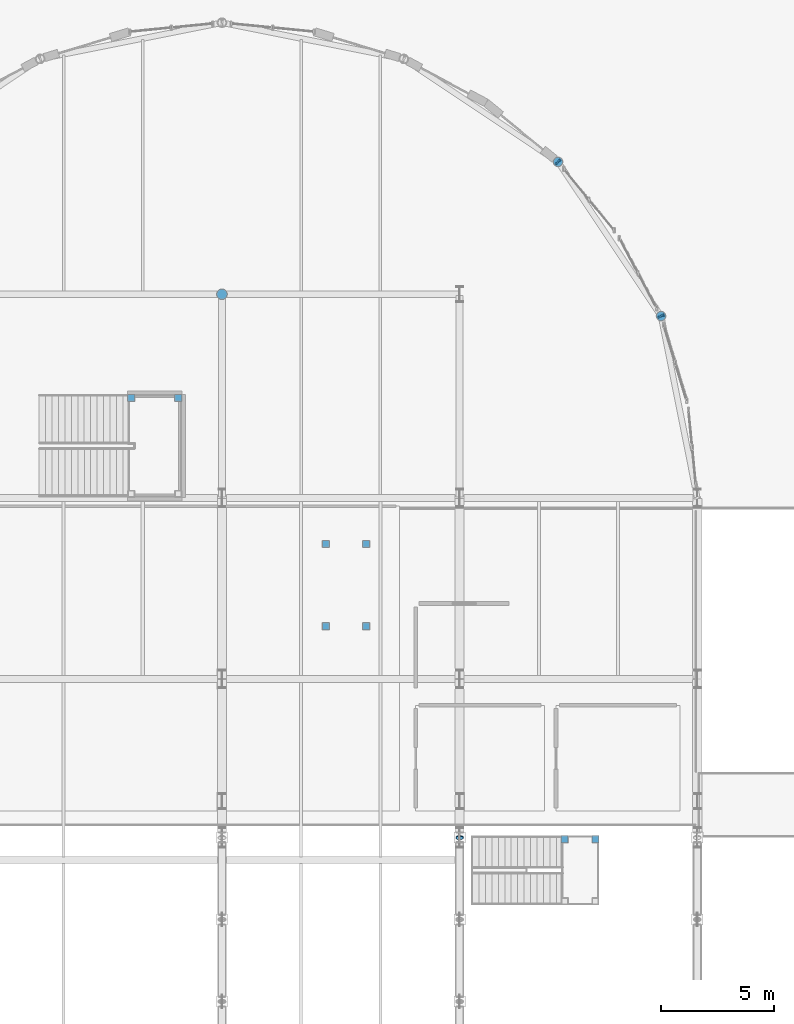
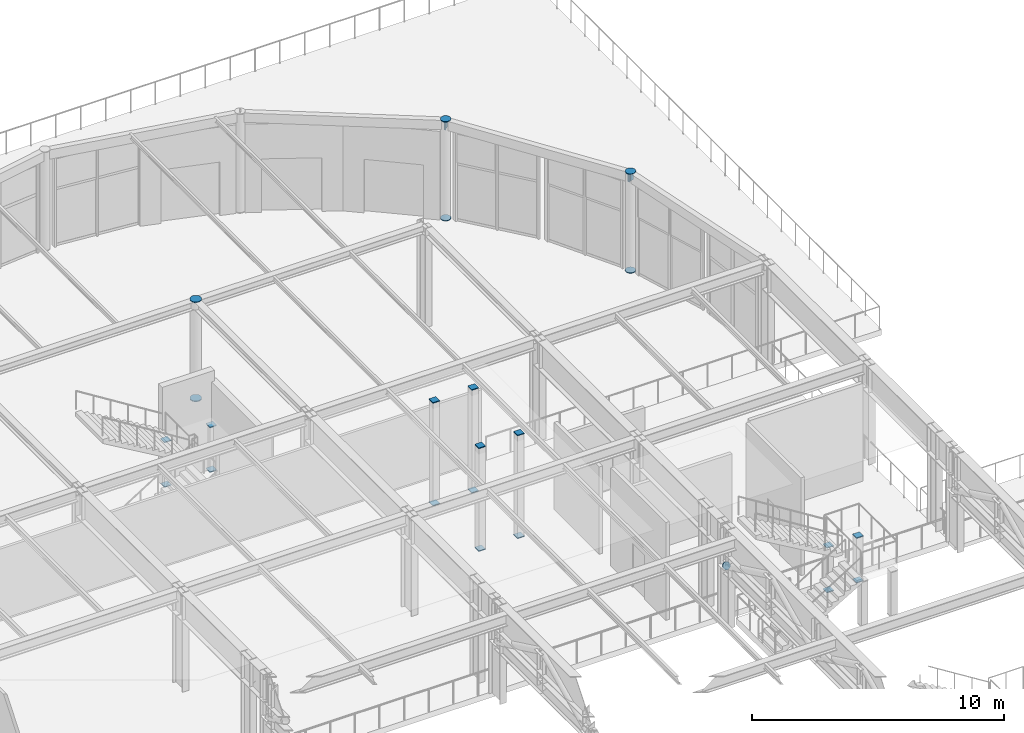
# One storey, part 104 of 143: 27 discrete accessories.
"""IFC4 building model written with IfcOpenShell, lengths in metres."""

from ifc_helpers import new_model, si_unit, direction, frame, origin, origin_2d, place, context, subcontext, project, spatial, rectangle, circle, extrude, material, element, save


model = new_model("IFC4")

# Units and contexts
model_context = context("Model", 3, precision=1e-05, world=origin(), true_north=direction((0.0, 1.0)))
body_context = subcontext(model_context, "Body", "Model", "MODEL_VIEW")
ifc_project = project(units=[si_unit("LENGTHUNIT", "METRE"), si_unit("AREAUNIT", "SQUARE_METRE"), si_unit("VOLUMEUNIT", "CUBIC_METRE"), si_unit("PLANEANGLEUNIT", "RADIAN"), si_unit("MASSUNIT", "GRAM", prefix="KILO")], contexts=[model_context])

# Site, building, storey
site_placement = place(None, origin())
site = spatial("IfcSite", under=ifc_project, at=site_placement, CompositionType="ELEMENT")
building_placement = place(site_placement, origin())
building = spatial("IfcBuilding", under=site, at=building_placement, Name="Marlcrest Central Station", CompositionType="ELEMENT")
storey_placement = place(building_placement, frame((0.0, 0.0, 4.800048828125)))
storey = spatial("IfcBuildingStorey", under=building, at=storey_placement, Name="L01", CompositionType="ELEMENT", Elevation=4.800048828125)

# Discrete accessories
ifc_material = material(Name="Steel S355", Category="steel")
discrete_accessory_placement = place(storey_placement, frame((118.5, 95.4775390625, 2.755859375), z_axis=(0.0, 0.900551636365, -0.434749065831), x_axis=(-1.0, 0.0, 0.0)))
element("IfcDiscreteAccessory", 1, at=discrete_accessory_placement, inside=storey, material=ifc_material, Name="endcap-mem-TD-01-L01-02313-e", ObjectType="END_CAP_PLATE", PredefinedType="BRACKET", context=body_context, shape_type="SweptSolid", body=[
    extrude(circle(Radius=0.169921875, at=origin_2d()), origin(), (0.0, 0.0, 1.0), 0.0400390625),
])
for number, where, z_axis, x_axis, name in (
    (2, (122.84912109375, 125.34912109375, -0.014892578125), (0.0, 0.0, 1.0), (1.0, 0.0, 0.0), "endcap-col-SC-10-L01-0864-s"),
    (3, (122.84912109375, 125.34912109375, 4.78515625), (0.0, 0.0, 1.0), (1.0, 0.0, 0.0), "endcap-col-SC-10-L01-0864-e"),
    (4, (127.40087890625, 118.535888671875, -0.014892578125), (0.0, 0.0, 1.0), (1.0, 0.0, 0.0), "endcap-col-SC-10-L01-0868-s"),
    (5, (127.40087890625, 118.535888671875, 4.78515625), (0.0, 0.0, 1.0), (1.0, 0.0, 0.0), "endcap-col-SC-10-L01-0868-e"),
):
    element("IfcDiscreteAccessory", number, at=place(storey_placement, frame(where, z_axis=z_axis, x_axis=x_axis)), inside=storey, material=ifc_material, Name=name, ObjectType="END_CAP_PLATE", PredefinedType="BRACKET", context=body_context, shape_type="SweptSolid", body=[
        extrude(circle(Radius=0.211181640625, at=origin_2d()), origin(), (0.0, 0.0, 1.0), 0.0400390625),
    ])
for number, where, z_axis, x_axis, name in (
    (6, (108.0, 119.5, -0.014892578125), (0.0, 0.0, 1.0), (1.0, 0.0, 0.0), "endcap-col-SC-11-L01-0876-s"),
    (7, (108.0, 119.5, 4.7900390625), (0.0, 0.0, 1.0), (1.0, 0.0, 0.0), "endcap-col-SC-11-L01-0876-e"),
):
    element("IfcDiscreteAccessory", number, at=place(storey_placement, frame(where, z_axis=z_axis, x_axis=x_axis)), inside=storey, material=ifc_material, Name=name, ObjectType="END_CAP_PLATE", PredefinedType="BRACKET", context=body_context, shape_type="SweptSolid", body=[
        extrude(circle(Radius=0.236572265625, at=origin_2d()), origin(), (0.0, 0.0, 1.0), 0.0400390625),
    ])
for number, where, z_axis, x_axis, name in (
    (8, (122.828369140625, 125.363037109375, 4.58984375), (0.831508991937, -0.55551129271, 0.0), (0.55551129271, 0.831508991937, 0.0), "endcap-bm-SP-02-L01-01463-e"),
    (9, (122.8408203125, 125.361572265625, 4.58984375), (0.55551129271, -0.831508991937, 0.0), (0.831508991937, 0.55551129271, 0.0), "endcap-bm-SP-02-L01-01464-s"),
    (10, (127.386962890625, 118.556640625, 4.58984375), (0.55551129271, -0.831508991937, 0.0), (0.831508991937, 0.55551129271, 0.0), "endcap-bm-SP-02-L01-01464-e"),
    (11, (127.39794921875, 118.550537109375, 4.58984375), (0.19517056122, -0.980769316421, 0.0), (0.980769316421, 0.19517056122, 0.0), "endcap-bm-SP-02-L01-01465-s"),
):
    element("IfcDiscreteAccessory", number, at=place(storey_placement, frame(where, z_axis=z_axis, x_axis=x_axis)), inside=storey, material=ifc_material, Name=name, ObjectType="END_CAP_PLATE", PredefinedType="BRACKET", context=body_context, shape_type="SweptSolid", body=[
        extrude(rectangle(XDim=0.26611328125, YDim=0.466064453125, at=origin_2d()), origin(), (0.0, 0.0, 1.0), 0.0400390625),
    ])
for number, where, z_axis, x_axis, name in (
    (12, (123.139892578125, 95.419921875, -0.014892578125), (0.0, 0.0, 1.0), (1.0, 0.0, 0.0), "endcap-stcol-hi1-0030-1231-954-s"),
    (13, (123.139892578125, 95.419921875, 2.155029296875), (0.0, 0.0, 1.0), (1.0, 0.0, 0.0), "endcap-stcol-hi1-0030-1231-954-e"),
    (14, (124.5, 95.419921875, -0.014892578125), (0.0, 0.0, 1.0), (1.0, 0.0, 0.0), "endcap-stcol-hi1-0030-1245-954-s"),
    (15, (124.5, 95.419921875, 2.155029296875), (0.0, 0.0, 1.0), (1.0, 0.0, 0.0), "endcap-stcol-hi1-0030-1245-954-e"),
    (16, (106.070068359375, 114.919921875, -0.014892578125), (0.0, 0.0, 1.0), (1.0, 0.0, 0.0), "endcap-htcol-lo-0034-2-s"),
    (17, (106.070068359375, 114.919921875, 2.155029296875), (0.0, 0.0, 1.0), (1.0, 0.0, 0.0), "endcap-htcol-lo-0034-2-e"),
    (18, (103.989990234375, 114.919921875, -0.014892578125), (0.0, 0.0, 1.0), (1.0, 0.0, 0.0), "endcap-htcol-lo-0034-3-s"),
    (19, (103.989990234375, 114.919921875, 2.155029296875), (0.0, 0.0, 1.0), (1.0, 0.0, 0.0), "endcap-htcol-lo-0034-3-e"),
    (20, (112.590087890625, 104.830078125, -0.014892578125), (0.0, 0.0, 1.0), (1.0, 0.0, 0.0), "endcap-htcol-L01-0036-0-s"),
    (21, (112.590087890625, 104.830078125, 4.97509765625), (0.0, 0.0, 1.0), (1.0, 0.0, 0.0), "endcap-htcol-L01-0036-0-e"),
    (22, (114.3701171875, 104.830078125, -0.014892578125), (0.0, 0.0, 1.0), (1.0, 0.0, 0.0), "endcap-htcol-L01-0036-1-s"),
    (23, (114.3701171875, 104.830078125, 4.97509765625), (0.0, 0.0, 1.0), (1.0, 0.0, 0.0), "endcap-htcol-L01-0036-1-e"),
    (24, (114.3701171875, 108.469970703125, -0.014892578125), (0.0, 0.0, 1.0), (1.0, 0.0, 0.0), "endcap-htcol-L01-0036-2-s"),
    (25, (114.3701171875, 108.469970703125, 4.97509765625), (0.0, 0.0, 1.0), (1.0, 0.0, 0.0), "endcap-htcol-L01-0036-2-e"),
    (26, (112.590087890625, 108.469970703125, -0.014892578125), (0.0, 0.0, 1.0), (1.0, 0.0, 0.0), "endcap-htcol-L01-0036-3-s"),
    (27, (112.590087890625, 108.469970703125, 4.97509765625), (0.0, 0.0, 1.0), (1.0, 0.0, 0.0), "endcap-htcol-L01-0036-3-e"),
):
    element("IfcDiscreteAccessory", number, at=place(storey_placement, frame(where, z_axis=z_axis, x_axis=x_axis)), inside=storey, material=ifc_material, Name=name, ObjectType="END_CAP_PLATE", PredefinedType="BRACKET", context=body_context, shape_type="SweptSolid", body=[
        extrude(rectangle(XDim=0.31591796875, YDim=0.31591796875, at=origin_2d()), origin(), (0.0, 0.0, 1.0), 0.0400390625),
    ])

save(model, "model.ifc")
